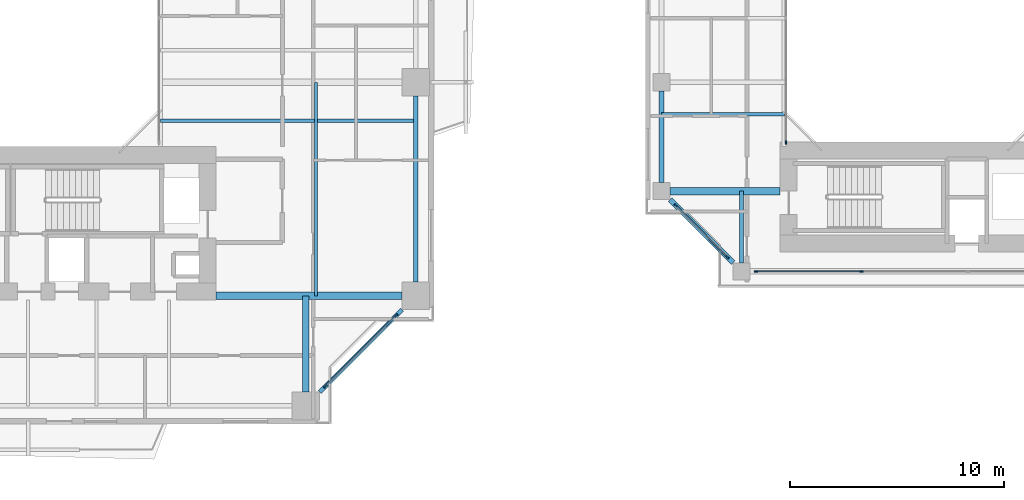
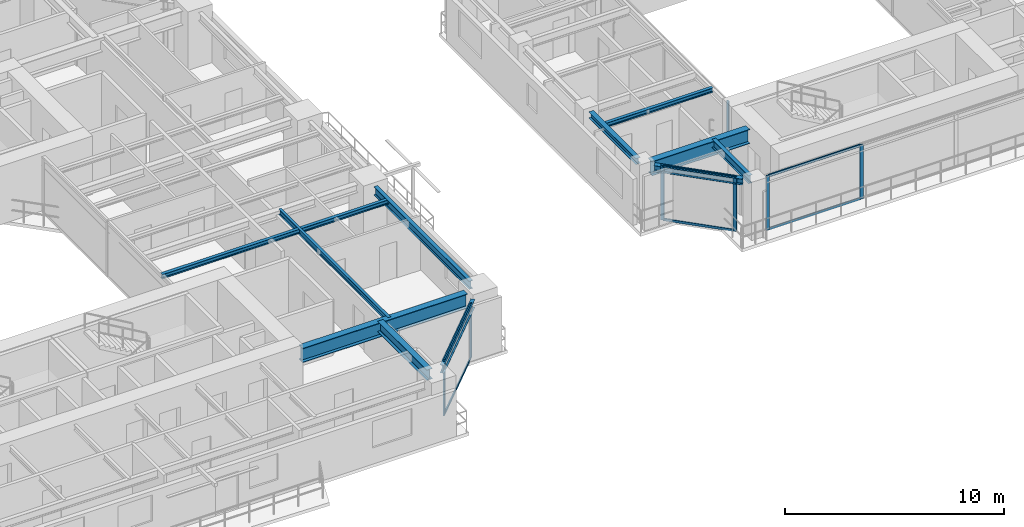
# One storey, part 5 of 23: 13 members, 11 beams, 4 elements without a shape of their own.
"""IFC4 building model written with IfcOpenShell, lengths in metres."""

from ifc_helpers import new_model, si_unit, direction, frame, origin, origin_2d, place, context, subcontext, project, spatial, rectangle, i_section, extrude, source, transform, mapped, material, layer, layer_set, material_profile, profile_set, type_object, element, aggregate, save


model = new_model("IFC4")

# Units and contexts
model_context = context("Model", 3, precision=1e-05, world=origin(), true_north=direction((0.0, 1.0)))
body_context = subcontext(model_context, "Body", "Model", "MODEL_VIEW")
ifc_project = project(units=[si_unit("LENGTHUNIT", "METRE"), si_unit("AREAUNIT", "SQUARE_METRE"), si_unit("VOLUMEUNIT", "CUBIC_METRE"), si_unit("PLANEANGLEUNIT", "RADIAN"), si_unit("MASSUNIT", "GRAM", prefix="KILO"), si_unit("THERMODYNAMICTEMPERATUREUNIT", "KELVIN"), si_unit("POWERUNIT", "WATT")], contexts=[model_context])

# Site, building, storey
site_placement = place(None, origin())
site = spatial("IfcSite", under=ifc_project, at=site_placement, CompositionType="ELEMENT")
building_placement = place(site_placement, origin())
building = spatial("IfcBuilding", under=site, at=building_placement, Name="Qiaomeng Ring Towers", CompositionType="ELEMENT")
storey_placement = place(building_placement, frame((0.0, 0.0, 89.25)))
storey = spatial("IfcBuildingStorey", under=building, at=storey_placement, Name="L25", CompositionType="ELEMENT", Elevation=89.25)

# Beams
ifc_material_1 = material(Name="Steel Q355B", Category="steel")
ifc_material_profile_1 = material_profile(ifc_material_1, i_section(OverallWidth=0.199951171875, OverallDepth=0.449951171875, WebThickness=0.009033203125, FlangeThickness=0.013916015625, FilletRadius=0.01806640625, at=origin_2d()), Name="HN 450x200x9x14")
ifc_profile_set_1 = profile_set([ifc_material_profile_1], Name="Steel Q355B")
beam_type_1 = type_object("IfcBeamType", Name="STR-BM-HN450", PredefinedType="SPANDREL", material=ifc_profile_set_1)
shared_shape_1 = source(origin(), body_context, "Body", "SweptSolid", [
    extrude(i_section(OverallWidth=0.199951171875, OverallDepth=0.449951171875, WebThickness=0.009033203125, FlangeThickness=0.013916015625, FilletRadius=0.01806640625, at=origin_2d()), origin(), (0.0, 0.0, 1.0), 5.446533203125),
])
beam_1_placement = place(storey_placement, frame((32.6494140625, 5.499267578125, 2.804931640625), z_axis=(0.707106781187, 0.707106781187, 0.0), x_axis=(-0.707106781187, 0.707106781187, 0.0)))
element("IfcBeam", 1, at=beam_1_placement, inside=storey, type_object=beam_type_1, Name="L25 beam STR-SP-L25-T1-S2-E1", PredefinedType="SPANDREL", context=body_context, shape_type="MappedRepresentation", body=[
    mapped(shared_shape_1, transform((0.0, 0.0, 0.0), x_axis=(1.0, 0.0, 0.0), y_axis=(0.0, 1.0, 0.0), z_axis=(0.0, 0.0, 1.0), scale=1.0)),
])
shared_shape_2 = source(origin(), body_context, "Body", "SweptSolid", [
    extrude(i_section(OverallWidth=0.199951171875, OverallDepth=0.449951171875, WebThickness=0.009033203125, FlangeThickness=0.013916015625, FilletRadius=0.01806640625, at=origin_2d()), origin(), (0.0, 0.0, 1.0), 8.7021484375),
])
beam_2_placement = place(storey_placement, frame((37.14990234375, 10.64892578125, 2.804931640625), z_axis=(0.0, 1.0, 0.0), x_axis=(-1.0, 0.0, 0.0)))
element("IfcBeam", 2, at=beam_2_placement, inside=storey, type_object=beam_type_1, Name="L25 beam STR-SP-L25-T1-E1-E2", PredefinedType="SPANDREL", context=body_context, shape_type="MappedRepresentation", body=[
    mapped(shared_shape_2, transform((0.0, 0.0, 0.0), x_axis=(1.0, 0.0, 0.0), y_axis=(0.0, 1.0, 0.0), z_axis=(0.0, 0.0, 1.0), scale=1.0)),
])
ifc_material_2 = material(Name="Steel Q390GJC", Category="steel")
ifc_material_profile_2 = material_profile(ifc_material_2, i_section(OverallWidth=0.35009765625, OverallDepth=0.800048828125, WebThickness=0.01611328125, FlangeThickness=0.028076171875, at=origin_2d()), Name="WH 800x350x16x28")
ifc_profile_set_2 = profile_set([ifc_material_profile_2], Name="Steel Q390GJC")
beam_type_2 = type_object("IfcBeamType", Name="STR-BM-WH800", PredefinedType="BEAM", material=ifc_profile_set_2)
shared_shape_3 = source(origin(), body_context, "Body", "SweptSolid", [
    extrude(i_section(OverallWidth=0.35009765625, OverallDepth=0.800048828125, WebThickness=0.01611328125, FlangeThickness=0.028076171875, at=origin_2d()), origin(), (0.0, 0.0, 1.0), 8.700927734375),
])
beam_3_placement = place(storey_placement, frame((27.800048828125, 10.0, 2.6298828125), z_axis=(1.0, 0.0, 0.0), x_axis=(0.0, 1.0, 0.0)))
element("IfcBeam", 3, at=beam_3_placement, inside=storey, type_object=beam_type_2, Name="L25 beam STR-BM-L25-T1-RAD-E1", PredefinedType="BEAM", context=body_context, shape_type="MappedRepresentation", body=[
    mapped(shared_shape_3, transform((0.0, 0.0, 0.0), x_axis=(1.0, 0.0, 0.0), y_axis=(0.0, 1.0, 0.0), z_axis=(0.0, 0.0, 1.0), scale=1.0)),
])
ifc_material_profile_3 = material_profile(ifc_material_1, i_section(OverallWidth=0.300048828125, OverallDepth=0.587890625, WebThickness=0.011962890625, FlangeThickness=0.02001953125, FilletRadius=0.028076171875, at=origin_2d()), Name="HM 588x300x12x20")
ifc_profile_set_3 = profile_set([ifc_material_profile_3], Name="Steel Q355B")
beam_type_3 = type_object("IfcBeamType", Name="STR-BM-HM588", PredefinedType="BEAM", material=ifc_profile_set_3)
shared_shape_4 = source(origin(), body_context, "Body", "SweptSolid", [
    extrude(i_section(OverallWidth=0.300048828125, OverallDepth=0.587890625, WebThickness=0.011962890625, FlangeThickness=0.02001953125, FilletRadius=0.028076171875, at=origin_2d()), origin(), (0.0, 0.0, 1.0), 4.5009765625),
])
beam_4_placement = place(storey_placement, frame((32.0, 5.4990234375, 2.736083984375), z_axis=(0.0, 1.0, 0.0), x_axis=(-1.0, 0.0, 0.0)))
element("IfcBeam", 4, at=beam_4_placement, inside=storey, type_object=beam_type_3, Name="L25 beam STR-BM-L25-T1-RAD-S2", PredefinedType="BEAM", context=body_context, shape_type="MappedRepresentation", body=[
    mapped(shared_shape_4, transform((0.0, 0.0, 0.0), x_axis=(1.0, 0.0, 0.0), y_axis=(0.0, 1.0, 0.0), z_axis=(0.0, 0.0, 1.0), scale=1.0)),
])
ifc_material_profile_4 = material_profile(ifc_material_1, i_section(OverallWidth=0.175048828125, OverallDepth=0.243896484375, WebThickness=0.007080078125, FlangeThickness=0.010986328125, FilletRadius=0.01611328125, at=origin_2d()), Name="HM 244x175x7x11")
ifc_profile_set_4 = profile_set([ifc_material_profile_4], Name="Steel Q355B")
beam_type_4 = type_object("IfcBeamType", Name="STR-BM-HM244", PredefinedType="JOIST", material=ifc_profile_set_4)
shared_shape_5 = source(origin(), body_context, "Body", "SweptSolid", [
    extrude(i_section(OverallWidth=0.175048828125, OverallDepth=0.243896484375, WebThickness=0.007080078125, FlangeThickness=0.010986328125, FilletRadius=0.01611328125, at=origin_2d()), origin(), (0.0, 0.0, 1.0), 11.949951171875),
])
beam_5_placement = place(storey_placement, frame((25.199951171875, 18.199951171875, 2.907958984375), z_axis=(1.0, 0.0, 0.0), x_axis=(0.0, 1.0, 0.0)))
element("IfcBeam", 5, at=beam_5_placement, inside=storey, type_object=beam_type_4, Name="L25 beam STR-JST-L25-T1E-1", PredefinedType="JOIST", context=body_context, shape_type="MappedRepresentation", body=[
    mapped(shared_shape_5, transform((0.0, 0.0, 0.0), x_axis=(1.0, 0.0, 0.0), y_axis=(0.0, 1.0, 0.0), z_axis=(0.0, 0.0, 1.0), scale=1.0)),
])
ifc_material_profile_5 = material_profile(ifc_material_1, i_section(OverallWidth=0.14990234375, OverallDepth=0.300048828125, WebThickness=0.006591796875, FlangeThickness=0.009033203125, FilletRadius=0.012939453125, at=origin_2d()), Name="HN 300x150x6.5x9")
ifc_profile_set_5 = profile_set([ifc_material_profile_5], Name="Steel Q355B")
beam_type_5 = type_object("IfcBeamType", Name="STR-BM-HN300", PredefinedType="JOIST", material=ifc_profile_set_5)
shared_shape_6 = source(origin(), body_context, "Body", "SweptSolid", [
    extrude(i_section(OverallWidth=0.14990234375, OverallDepth=0.300048828125, WebThickness=0.006591796875, FlangeThickness=0.009033203125, FilletRadius=0.012939453125, at=origin_2d()), origin(), (0.0, 0.0, 1.0), 10.0),
])
beam_6_placement = place(storey_placement, frame((32.47509765625, 10.0, 2.8798828125), z_axis=(0.0, 1.0, 0.0), x_axis=(-1.0, 0.0, 0.0)))
element("IfcBeam", 6, at=beam_6_placement, inside=storey, type_object=beam_type_5, Name="L25 beam STR-JST-L25-T1C-ES", PredefinedType="JOIST", context=body_context, shape_type="MappedRepresentation", body=[
    mapped(shared_shape_6, transform((0.0, 0.0, 0.0), x_axis=(1.0, 0.0, 0.0), y_axis=(0.0, 1.0, 0.0), z_axis=(0.0, 0.0, 1.0), scale=1.0)),
])
ifc_material_profile_6 = material_profile(ifc_material_1, i_section(OverallWidth=0.25, OverallDepth=0.340087890625, WebThickness=0.009033203125, FlangeThickness=0.013916015625, FilletRadius=0.02001953125, at=origin_2d()), Name="HM 340x250x9x14")
ifc_profile_set_6 = profile_set([ifc_material_profile_6], Name="Steel Q355B")
beam_type_6 = type_object("IfcBeamType", Name="STR-BM-HM340", PredefinedType="SPANDREL", material=ifc_profile_set_6)
shared_shape_7 = source(origin(), body_context, "Body", "SweptSolid", [
    extrude(i_section(OverallWidth=0.25, OverallDepth=0.340087890625, WebThickness=0.009033203125, FlangeThickness=0.013916015625, FilletRadius=0.02001953125, at=origin_2d()), origin(), (0.0, 0.0, 1.0), 4.173828125),
])
beam_7_placement = place(storey_placement, frame((49.04931640625, 14.500732421875, 2.860107421875), z_axis=(0.707106781187, -0.707106781187, 0.0), x_axis=(0.707106781187, 0.707106781187, 0.0)))
element("IfcBeam", 7, at=beam_7_placement, inside=storey, type_object=beam_type_6, Name="L25 beam STR-SP-L25-T2-W1-S1", PredefinedType="SPANDREL", context=body_context, shape_type="MappedRepresentation", body=[
    mapped(shared_shape_7, transform((0.0, 0.0, 0.0), x_axis=(1.0, 0.0, 0.0), y_axis=(0.0, 1.0, 0.0), z_axis=(0.0, 0.0, 1.0), scale=1.0)),
])
shared_shape_8 = source(origin(), body_context, "Body", "SweptSolid", [
    extrude(i_section(OverallWidth=0.25, OverallDepth=0.340087890625, WebThickness=0.009033203125, FlangeThickness=0.013916015625, FilletRadius=0.02001953125, at=origin_2d()), origin(), (0.0, 0.0, 1.0), 4.302001953125),
])
beam_8_placement = place(storey_placement, frame((48.64990234375, 19.60107421875, 2.860107421875), z_axis=(0.0, -1.0, 0.0), x_axis=(1.0, 0.0, 0.0)))
element("IfcBeam", 8, at=beam_8_placement, inside=storey, type_object=beam_type_6, Name="L25 beam STR-SP-L25-T2-W2-W1", PredefinedType="SPANDREL", context=body_context, shape_type="MappedRepresentation", body=[
    mapped(shared_shape_8, transform((0.0, 0.0, 0.0), x_axis=(1.0, 0.0, 0.0), y_axis=(0.0, 1.0, 0.0), z_axis=(0.0, 0.0, 1.0), scale=1.0)),
])
shared_shape_9 = source(origin(), body_context, "Body", "SweptSolid", [
    extrude(i_section(OverallWidth=0.35009765625, OverallDepth=0.800048828125, WebThickness=0.01611328125, FlangeThickness=0.028076171875, at=origin_2d()), origin(), (0.0, 0.0, 1.0), 5.15087890625),
])
beam_9_placement = place(storey_placement, frame((49.049072265625, 14.89990234375, 2.6298828125), z_axis=(1.0, 0.0, 0.0), x_axis=(0.0, 1.0, 0.0)))
element("IfcBeam", 9, at=beam_9_placement, inside=storey, type_object=beam_type_2, Name="L25 beam STR-BM-L25-T2-RAD-W1", PredefinedType="BEAM", context=body_context, shape_type="MappedRepresentation", body=[
    mapped(shared_shape_9, transform((0.0, 0.0, 0.0), x_axis=(1.0, 0.0, 0.0), y_axis=(0.0, 1.0, 0.0), z_axis=(0.0, 0.0, 1.0), scale=1.0)),
])
shared_shape_10 = source(origin(), body_context, "Body", "SweptSolid", [
    extrude(i_section(OverallWidth=0.199951171875, OverallDepth=0.449951171875, WebThickness=0.009033203125, FlangeThickness=0.013916015625, FilletRadius=0.01806640625, at=origin_2d()), origin(), (0.0, 0.0, 1.0), 3.350830078125),
])
beam_10_placement = place(storey_placement, frame((52.39990234375, 11.549072265625, 2.804931640625), z_axis=(0.0, 1.0, 0.0), x_axis=(-1.0, 0.0, 0.0)))
element("IfcBeam", 10, at=beam_10_placement, inside=storey, type_object=beam_type_1, Name="L25 beam STR-BM-L25-T2-RAD-S1", PredefinedType="SPANDREL", context=body_context, shape_type="MappedRepresentation", body=[
    mapped(shared_shape_10, transform((0.0, 0.0, 0.0), x_axis=(1.0, 0.0, 0.0), y_axis=(0.0, 1.0, 0.0), z_axis=(0.0, 0.0, 1.0), scale=1.0)),
])
shared_shape_11 = source(origin(), body_context, "Body", "SweptSolid", [
    extrude(i_section(OverallWidth=0.175048828125, OverallDepth=0.243896484375, WebThickness=0.007080078125, FlangeThickness=0.010986328125, FilletRadius=0.01611328125, at=origin_2d()), origin(), (0.0, 0.0, 1.0), 5.75),
])
beam_11_placement = place(storey_placement, frame((48.64990234375, 18.5, 2.907958984375), z_axis=(1.0, 0.0, 0.0), x_axis=(0.0, 1.0, 0.0)))
element("IfcBeam", 11, at=beam_11_placement, inside=storey, type_object=beam_type_4, Name="L25 beam STR-JST-L25-T2W-1", PredefinedType="JOIST", context=body_context, shape_type="MappedRepresentation", body=[
    mapped(shared_shape_11, transform((0.0, 0.0, 0.0), x_axis=(1.0, 0.0, 0.0), y_axis=(0.0, 1.0, 0.0), z_axis=(0.0, 0.0, 1.0), scale=1.0)),
])

# Curtain wall, members
ifc_material_3 = material(Name="Fluorocarbon dark-grey aluminium", Category="aluminium")
ifc_layer_1 = layer(ifc_material_3, 0.159912109375, Name="Fluorocarbon dark-grey aluminium")
ifc_layer_set_1 = layer_set([ifc_layer_1], Name="Fluorocarbon dark-grey aluminium")
curtain_wall_type_1 = type_object("IfcCurtainWallType", Name="ARC-CW-2", PredefinedType="NOTDEFINED", material=ifc_layer_set_1)
curtain_wall_1_placement = place(storey_placement, origin())
curtain_wall_1 = element("IfcCurtainWall", 12, at=curtain_wall_1_placement, inside=storey, type_object=curtain_wall_type_1, Name="L25 Curtain Wall CW2", PredefinedType="NOTDEFINED")
ifc_material_profile_7 = material_profile(ifc_material_3, rectangle(XDim=0.06494140625, YDim=0.1298828125, at=origin_2d()), Name="ALU TRAN 65x130")
ifc_profile_set_7 = profile_set([ifc_material_profile_7], Name="Fluorocarbon dark-grey aluminium")
member_type_1 = type_object("IfcMemberType", Name="ARC-CWT-120", PredefinedType="USERDEFINED", material=ifc_profile_set_7)
shared_shape_12 = source(origin(), body_context, "Body", "SweptSolid", [
    extrude(rectangle(XDim=0.06494140625, YDim=0.1298828125, at=origin_2d()), origin(), (0.0, 0.0, 1.0), 4.6259765625),
])
member_1_placement = place(storey_placement, frame((32.939453125, 5.78955078125, 0.032470703125), z_axis=(0.707106781187, 0.707106781187, 0.0), x_axis=(-0.707106781187, 0.707106781187, 0.0)))
member_1 = element("IfcMember", 13, at=member_1_placement, type_object=member_type_1, Name="CW2 transom 1.1", ObjectType="TRANSOM", PredefinedType="USERDEFINED", context=body_context, shape_type="MappedRepresentation", body=[
    mapped(shared_shape_12, transform((0.0, 0.0, 0.0), x_axis=(1.0, 0.0, 0.0), y_axis=(0.0, 1.0, 0.0), z_axis=(0.0, 0.0, 1.0), scale=1.0)),
])
member_2_placement = place(storey_placement, frame((32.939453125, 5.78955078125, 2.99755859375), z_axis=(0.707106781187, 0.707106781187, 0.0), x_axis=(-0.707106781187, 0.707106781187, 0.0)))
member_2 = element("IfcMember", 14, at=member_2_placement, type_object=member_type_1, Name="CW2 transom 1.2", ObjectType="TRANSOM", PredefinedType="USERDEFINED", context=body_context, shape_type="MappedRepresentation", body=[
    mapped(shared_shape_12, transform((0.0, 0.0, 0.0), x_axis=(1.0, 0.0, 0.0), y_axis=(0.0, 1.0, 0.0), z_axis=(0.0, 0.0, 1.0), scale=1.0)),
])

# Curtain wall, member
ifc_layer_2 = layer(ifc_material_3, 0.139892578125, Name="Fluorocarbon dark-grey aluminium")
ifc_layer_set_2 = layer_set([ifc_layer_2], Name="Fluorocarbon dark-grey aluminium")
curtain_wall_type_2 = type_object("IfcCurtainWallType", Name="ARC-CW-4", PredefinedType="NOTDEFINED", material=ifc_layer_set_2)
curtain_wall_2_placement = place(storey_placement, origin())
curtain_wall_2 = element("IfcCurtainWall", 15, at=curtain_wall_2_placement, inside=storey, type_object=curtain_wall_type_2, Name="L25 Curtain Wall CW4", PredefinedType="NOTDEFINED")
ifc_material_profile_8 = material_profile(ifc_material_3, rectangle(XDim=0.06494140625, YDim=0.159912109375, at=origin_2d()), Name="ALU MULL 65x160")
ifc_profile_set_8 = profile_set([ifc_material_profile_8], Name="Fluorocarbon dark-grey aluminium")
member_type_2 = type_object("IfcMemberType", Name="ARC-CWM-140", PredefinedType="MULLION", material=ifc_profile_set_8)
shared_shape_13 = source(origin(), body_context, "Body", "SweptSolid", [
    extrude(rectangle(XDim=0.06494140625, YDim=0.159912109375, at=origin_2d()), origin(), (0.0, 0.0, 1.0), 3.030029296875),
])
member_3_placement = place(storey_placement, frame((54.47998046875, 17.1826171875, 0.0), z_axis=(0.0, 0.0, 1.0), x_axis=(-1.0, 0.0, 0.0)))
member_3 = element("IfcMember", 16, at=member_3_placement, type_object=member_type_2, Name="CW4 mullion 1", PredefinedType="MULLION", context=body_context, shape_type="MappedRepresentation", body=[
    mapped(shared_shape_13, transform((0.0, 0.0, 0.0), x_axis=(1.0, 0.0, 0.0), y_axis=(0.0, 1.0, 0.0), z_axis=(0.0, 0.0, 1.0), scale=1.0)),
])
aggregate(curtain_wall_2, [member_3])

# Member
ifc_material_profile_9 = material_profile(ifc_material_3, rectangle(XDim=0.070068359375, YDim=0.179931640625, at=origin_2d()), Name="ALU MULL 70x180")
ifc_profile_set_9 = profile_set([ifc_material_profile_9], Name="Fluorocarbon dark-grey aluminium")
member_type_3 = type_object("IfcMemberType", Name="ARC-CWM-160", PredefinedType="MULLION", material=ifc_profile_set_9)
shared_shape_14 = source(origin(), body_context, "Body", "SweptSolid", [
    extrude(rectangle(XDim=0.070068359375, YDim=0.179931640625, at=origin_2d()), origin(), (0.0, 0.0, 1.0), 3.030029296875),
])
member_4_placement = place(storey_placement, frame((32.914794921875, 5.7646484375, 0.0), z_axis=(0.0, 0.0, 1.0), x_axis=(-0.707106781187, 0.707106781187, 0.0)))
member_4 = element("IfcMember", 17, at=member_4_placement, type_object=member_type_3, Name="CW2 mullion 1", PredefinedType="MULLION", context=body_context, shape_type="MappedRepresentation", body=[
    mapped(shared_shape_14, transform((0.0, 0.0, 0.0), x_axis=(1.0, 0.0, 0.0), y_axis=(0.0, 1.0, 0.0), z_axis=(0.0, 0.0, 1.0), scale=1.0)),
])

member_5_placement = place(storey_placement, frame((36.2353515625, 9.085205078125, 0.0), z_axis=(0.0, 0.0, 1.0), x_axis=(-0.707106781187, 0.707106781187, 0.0)))
member_5 = element("IfcMember", 18, at=member_5_placement, type_object=member_type_3, Name="CW2 mullion 2", PredefinedType="MULLION", context=body_context, shape_type="MappedRepresentation", body=[
    mapped(shared_shape_14, transform((0.0, 0.0, 0.0), x_axis=(1.0, 0.0, 0.0), y_axis=(0.0, 1.0, 0.0), z_axis=(0.0, 0.0, 1.0), scale=1.0)),
])

aggregate(curtain_wall_1, [member_4, member_5, member_1, member_2])

# Curtain wall, members
ifc_layer_3 = layer(ifc_material_3, 0.14990234375, Name="Fluorocarbon dark-grey aluminium")
ifc_layer_set_3 = layer_set([ifc_layer_3], Name="Fluorocarbon dark-grey aluminium")
curtain_wall_type_3 = type_object("IfcCurtainWallType", Name="ARC-CW-5", PredefinedType="NOTDEFINED", material=ifc_layer_set_3)
curtain_wall_3_placement = place(storey_placement, origin())
curtain_wall_3 = element("IfcCurtainWall", 19, at=curtain_wall_3_placement, inside=storey, type_object=curtain_wall_type_3, Name="L25 Curtain Wall CW5", PredefinedType="NOTDEFINED")
member_6_placement = place(storey_placement, frame((49.314697265625, 14.2353515625, 0.0), z_axis=(0.0, 0.0, 1.0), x_axis=(0.707106781187, 0.707106781187, 0.0)))
member_6 = element("IfcMember", 20, at=member_6_placement, type_object=member_type_3, Name="CW5 mullion 1", PredefinedType="MULLION", context=body_context, shape_type="MappedRepresentation", body=[
    mapped(shared_shape_14, transform((0.0, 0.0, 0.0), x_axis=(1.0, 0.0, 0.0), y_axis=(0.0, 1.0, 0.0), z_axis=(0.0, 0.0, 1.0), scale=1.0)),
])
member_7_placement = place(storey_placement, frame((51.7353515625, 11.814697265625, 0.0), z_axis=(0.0, 0.0, 1.0), x_axis=(0.707106781187, 0.707106781187, 0.0)))
member_7 = element("IfcMember", 21, at=member_7_placement, type_object=member_type_3, Name="CW5 mullion 2", PredefinedType="MULLION", context=body_context, shape_type="MappedRepresentation", body=[
    mapped(shared_shape_14, transform((0.0, 0.0, 0.0), x_axis=(1.0, 0.0, 0.0), y_axis=(0.0, 1.0, 0.0), z_axis=(0.0, 0.0, 1.0), scale=1.0)),
])

curtain_wall_4_placement = place(storey_placement, origin())
curtain_wall_4 = element("IfcCurtainWall", 22, at=curtain_wall_4_placement, inside=storey, type_object=curtain_wall_type_3, Name="L25 Curtain Wall CW5", PredefinedType="NOTDEFINED")
member_8_placement = place(storey_placement, frame((53.074951171875, 11.14990234375, 0.0), z_axis=(0.0, 0.0, 1.0), x_axis=(0.0, 1.0, 0.0)))
member_8 = element("IfcMember", 23, at=member_8_placement, type_object=member_type_3, Name="CW5 mullion 1", PredefinedType="MULLION", context=body_context, shape_type="MappedRepresentation", body=[
    mapped(shared_shape_14, transform((0.0, 0.0, 0.0), x_axis=(1.0, 0.0, 0.0), y_axis=(0.0, 1.0, 0.0), z_axis=(0.0, 0.0, 1.0), scale=1.0)),
])
member_9_placement = place(storey_placement, frame((58.013427734375, 11.14990234375, 0.0), z_axis=(0.0, 0.0, 1.0), x_axis=(0.0, 1.0, 0.0)))
member_9 = element("IfcMember", 24, at=member_9_placement, type_object=member_type_3, Name="CW5 mullion 2", PredefinedType="MULLION", context=body_context, shape_type="MappedRepresentation", body=[
    mapped(shared_shape_14, transform((0.0, 0.0, 0.0), x_axis=(1.0, 0.0, 0.0), y_axis=(0.0, 1.0, 0.0), z_axis=(0.0, 0.0, 1.0), scale=1.0)),
])
shared_shape_15 = source(origin(), body_context, "Body", "SweptSolid", [
    extrude(rectangle(XDim=0.06494140625, YDim=0.1298828125, at=origin_2d()), origin(), (0.0, 0.0, 1.0), 4.8681640625),
])
member_10_placement = place(storey_placement, frame((53.110107421875, 11.14990234375, 0.032470703125), z_axis=(1.0, 0.0, 0.0), x_axis=(0.0, 1.0, 0.0)))
member_10 = element("IfcMember", 25, at=member_10_placement, type_object=member_type_1, Name="CW5 transom 1.1", ObjectType="TRANSOM", PredefinedType="USERDEFINED", context=body_context, shape_type="MappedRepresentation", body=[
    mapped(shared_shape_15, transform((0.0, 0.0, 0.0), x_axis=(1.0, 0.0, 0.0), y_axis=(0.0, 1.0, 0.0), z_axis=(0.0, 0.0, 1.0), scale=1.0)),
])
member_11_placement = place(storey_placement, frame((53.110107421875, 11.14990234375, 2.99755859375), z_axis=(1.0, 0.0, 0.0), x_axis=(0.0, 1.0, 0.0)))
member_11 = element("IfcMember", 26, at=member_11_placement, type_object=member_type_1, Name="CW5 transom 1.2", ObjectType="TRANSOM", PredefinedType="USERDEFINED", context=body_context, shape_type="MappedRepresentation", body=[
    mapped(shared_shape_15, transform((0.0, 0.0, 0.0), x_axis=(1.0, 0.0, 0.0), y_axis=(0.0, 1.0, 0.0), z_axis=(0.0, 0.0, 1.0), scale=1.0)),
])
aggregate(curtain_wall_4, [member_8, member_9, member_10, member_11])

# Member
shared_shape_16 = source(origin(), body_context, "Body", "SweptSolid", [
    extrude(rectangle(XDim=0.06494140625, YDim=0.1298828125, at=origin_2d()), origin(), (0.0, 0.0, 1.0), 3.352783203125),
])
member_12_placement = place(storey_placement, frame((49.339599609375, 14.21044921875, 0.032470703125), z_axis=(0.707106781187, -0.707106781187, 0.0), x_axis=(0.707106781187, 0.707106781187, 0.0)))
member_12 = element("IfcMember", 27, at=member_12_placement, type_object=member_type_1, Name="CW5 transom 1.1", ObjectType="TRANSOM", PredefinedType="USERDEFINED", context=body_context, shape_type="MappedRepresentation", body=[
    mapped(shared_shape_16, transform((0.0, 0.0, 0.0), x_axis=(1.0, 0.0, 0.0), y_axis=(0.0, 1.0, 0.0), z_axis=(0.0, 0.0, 1.0), scale=1.0)),
])

member_13_placement = place(storey_placement, frame((49.339599609375, 14.21044921875, 2.99755859375), z_axis=(0.707106781187, -0.707106781187, 0.0), x_axis=(0.707106781187, 0.707106781187, 0.0)))
member_13 = element("IfcMember", 28, at=member_13_placement, type_object=member_type_1, Name="CW5 transom 1.2", ObjectType="TRANSOM", PredefinedType="USERDEFINED", context=body_context, shape_type="MappedRepresentation", body=[
    mapped(shared_shape_16, transform((0.0, 0.0, 0.0), x_axis=(1.0, 0.0, 0.0), y_axis=(0.0, 1.0, 0.0), z_axis=(0.0, 0.0, 1.0), scale=1.0)),
])

aggregate(curtain_wall_3, [member_6, member_7, member_12, member_13])

save(model, "model.ifc")
